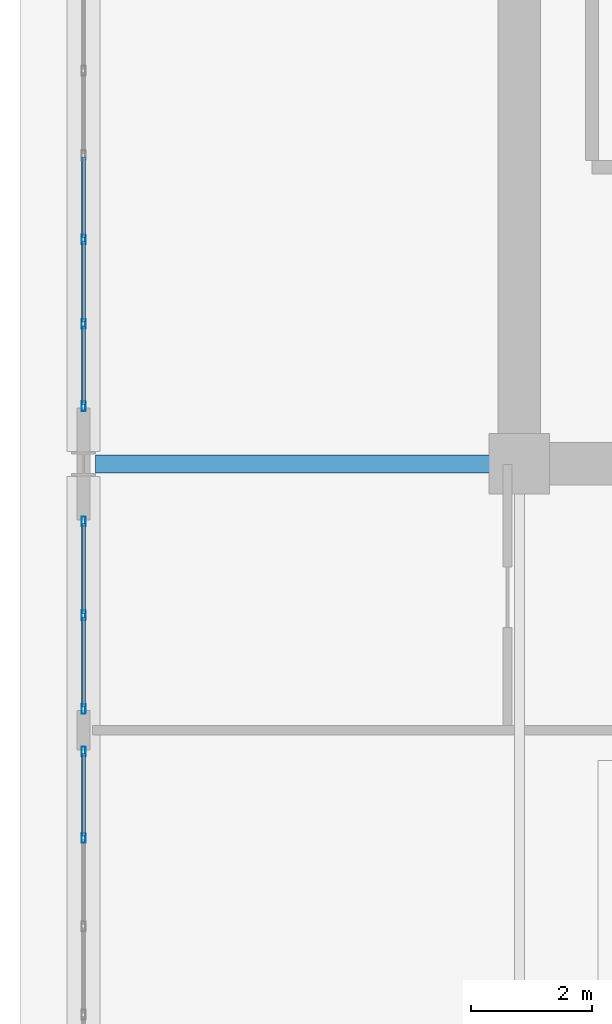
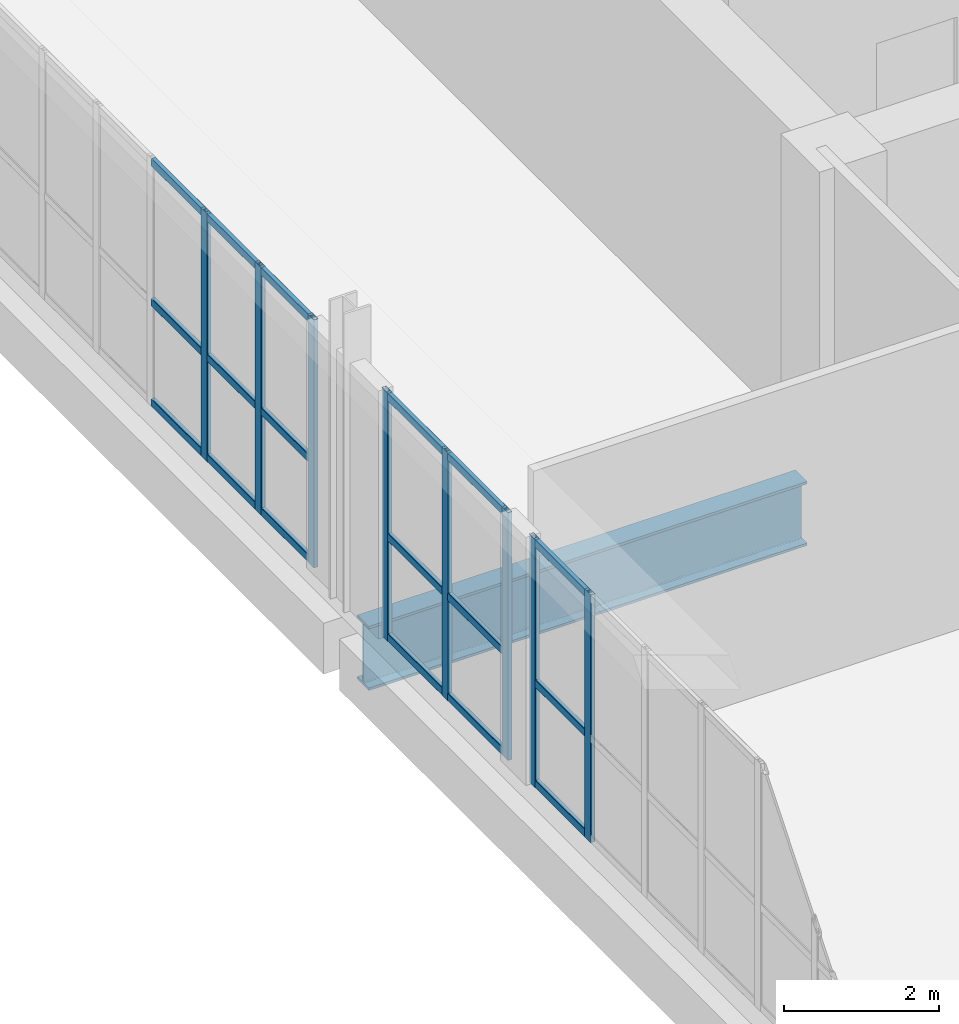
# One storey, part 11 of 36: 26 members, 1 beam, 3 elements without a shape of their own.
"""IFC4 building model written with IfcOpenShell, lengths in metres."""

from ifc_helpers import new_model, si_unit, direction, frame, origin, origin_2d, place, context, subcontext, project, spatial, hollow_rectangle, i_section, extrude, material, layer, layer_set, material_profile, profile_set, type_object, element, aggregate, save


model = new_model("IFC4")

# Units and contexts
model_context = context("Model", 3, precision=1e-05, world=origin(), true_north=direction((0.0, 1.0)))
body_context = subcontext(model_context, "Body", "Model", "MODEL_VIEW")
ifc_project = project(units=[si_unit("LENGTHUNIT", "METRE"), si_unit("AREAUNIT", "SQUARE_METRE"), si_unit("VOLUMEUNIT", "CUBIC_METRE"), si_unit("PLANEANGLEUNIT", "RADIAN"), si_unit("MASSUNIT", "GRAM", prefix="KILO")], contexts=[model_context])

# Site, building, storey
site_placement = place(None, origin())
site = spatial("IfcSite", under=ifc_project, at=site_placement, CompositionType="ELEMENT")
building_placement = place(site_placement, origin())
building = spatial("IfcBuilding", under=site, at=building_placement, Name="Kaelvorn Grand Hotel", CompositionType="ELEMENT")
storey_placement = place(building_placement, frame((0.0, 0.0, 305.699951171875)))
storey = spatial("IfcBuildingStorey", under=building, at=storey_placement, Name="L74", CompositionType="ELEMENT", Elevation=305.699951171875)

# Beam
ifc_material_1 = material(Name="Steel S460", Category="steel")
ifc_material_profile_1 = material_profile(ifc_material_1, i_section(OverallWidth=0.302001953125, OverallDepth=1.008056640625, WebThickness=0.02099609375, FlangeThickness=0.0400390625, FilletRadius=0.024169921875, at=origin_2d()), Name="UB 1016x305x349")
ifc_profile_set_1 = profile_set([ifc_material_profile_1], Name="Steel S460")
beam_type = type_object("IfcBeamType", Name="BM-G-UB1016-S460", PredefinedType="BEAM", material=ifc_profile_set_1)
beam_placement = place(storey_placement, frame((9.195068359375, 29.39990234375, -0.884033203125), z_axis=(1.0, 0.0, 0.0), x_axis=(0.0, 1.0, 0.0)))
element("IfcBeam", 1, at=beam_placement, inside=storey, type_object=beam_type, Name="L74 West Core Wing Steel Girder G-29W 01", PredefinedType="BEAM", context=body_context, shape_type="SweptSolid", body=[
    extrude(i_section(OverallWidth=0.302001953125, OverallDepth=1.008056640625, WebThickness=0.02099609375, FlangeThickness=0.0400390625, FilletRadius=0.024169921875, at=origin_2d()), origin(), (0.0, 0.0, 1.0), 6.52001953125),
])

# Curtain wall, members
ifc_material_2 = material(Name="Anodised Aluminium", Category="aluminium")
ifc_layer = layer(ifc_material_2, 0.159912109375)
ifc_layer_set = layer_set([ifc_layer], Name="Anodised Aluminium")
curtain_wall_type = type_object("IfcCurtainWallType", Name="CW-SYS6", PredefinedType="NOTDEFINED", material=ifc_layer_set)
curtain_wall_1_placement = place(storey_placement, origin())
curtain_wall_1 = element("IfcCurtainWall", 2, at=curtain_wall_1_placement, inside=storey, type_object=curtain_wall_type, Name="L74 Unitised Curtain Wall CW6 (CW-L74-W-04)", PredefinedType="NOTDEFINED")
ifc_material_profile_2 = material_profile(ifc_material_2, hollow_rectangle(XDim=0.06494140625, YDim=0.159912109375, WallThickness=0.00341796875, InnerFilletRadius=0.00341796875, OuterFilletRadius=0.007080078125, at=origin_2d()), Name="ALU MULL 65x160")
ifc_profile_set_2 = profile_set([ifc_material_profile_2], Name="Anodised Aluminium")
member_type_1 = type_object("IfcMemberType", Name="CW-SYS6-MULL", PredefinedType="MULLION", material=ifc_profile_set_2)
member_1_placement = place(storey_placement, frame((9.0, 33.106689453125, 0.0), z_axis=(0.0, 0.0, 1.0), x_axis=(1.0, 0.0, 0.0)))
member_1 = element("IfcMember", 3, at=member_1_placement, type_object=member_type_1, Name="CW6 mullion 5", PredefinedType="MULLION", context=body_context, shape_type="SweptSolid", body=[
    extrude(hollow_rectangle(XDim=0.06494140625, YDim=0.159912109375, WallThickness=0.00341796875, InnerFilletRadius=0.00341796875, OuterFilletRadius=0.007080078125, at=origin_2d()), origin(), (0.0, 0.0, 1.0), 3.900146484375),
])
member_2_placement = place(storey_placement, frame((9.0, 31.71337890625, 0.0), z_axis=(0.0, 0.0, 1.0), x_axis=(1.0, 0.0, 0.0)))
member_2 = element("IfcMember", 4, at=member_2_placement, type_object=member_type_1, Name="CW6 mullion 6", PredefinedType="MULLION", context=body_context, shape_type="SweptSolid", body=[
    extrude(hollow_rectangle(XDim=0.06494140625, YDim=0.159912109375, WallThickness=0.00341796875, InnerFilletRadius=0.00341796875, OuterFilletRadius=0.007080078125, at=origin_2d()), origin(), (0.0, 0.0, 1.0), 3.900146484375),
])
member_3_placement = place(storey_placement, frame((9.0, 30.3525390625, 0.0), z_axis=(0.0, 0.0, 1.0), x_axis=(1.0, 0.0, 0.0)))
member_3 = element("IfcMember", 5, at=member_3_placement, type_object=member_type_1, Name="CW6 mullion 7", PredefinedType="MULLION", context=body_context, shape_type="SweptSolid", body=[
    extrude(hollow_rectangle(XDim=0.06494140625, YDim=0.159912109375, WallThickness=0.00341796875, InnerFilletRadius=0.00341796875, OuterFilletRadius=0.007080078125, at=origin_2d()), origin(), (0.0, 0.0, 1.0), 3.900146484375),
])

curtain_wall_2_placement = place(storey_placement, origin())
curtain_wall_2 = element("IfcCurtainWall", 6, at=curtain_wall_2_placement, inside=storey, type_object=curtain_wall_type, Name="L74 Unitised Curtain Wall CW6 (CW-L74-W-03)", PredefinedType="NOTDEFINED")
member_4_placement = place(storey_placement, frame((9.0, 28.447509765625, 0.0), z_axis=(0.0, 0.0, 1.0), x_axis=(1.0, 0.0, 0.0)))
member_4 = element("IfcMember", 7, at=member_4_placement, type_object=member_type_1, Name="CW6 mullion 1", PredefinedType="MULLION", context=body_context, shape_type="SweptSolid", body=[
    extrude(hollow_rectangle(XDim=0.06494140625, YDim=0.159912109375, WallThickness=0.00341796875, InnerFilletRadius=0.00341796875, OuterFilletRadius=0.007080078125, at=origin_2d()), origin(), (0.0, 0.0, 1.0), 3.900146484375),
])
member_5_placement = place(storey_placement, frame((9.0, 26.89990234375, 0.0), z_axis=(0.0, 0.0, 1.0), x_axis=(1.0, 0.0, 0.0)))
member_5 = element("IfcMember", 8, at=member_5_placement, type_object=member_type_1, Name="CW6 mullion 2", PredefinedType="MULLION", context=body_context, shape_type="SweptSolid", body=[
    extrude(hollow_rectangle(XDim=0.06494140625, YDim=0.159912109375, WallThickness=0.00341796875, InnerFilletRadius=0.00341796875, OuterFilletRadius=0.007080078125, at=origin_2d()), origin(), (0.0, 0.0, 1.0), 3.900146484375),
])
member_6_placement = place(storey_placement, frame((9.0, 25.3525390625, 0.0), z_axis=(0.0, 0.0, 1.0), x_axis=(1.0, 0.0, 0.0)))
member_6 = element("IfcMember", 9, at=member_6_placement, type_object=member_type_1, Name="CW6 mullion 3", PredefinedType="MULLION", context=body_context, shape_type="SweptSolid", body=[
    extrude(hollow_rectangle(XDim=0.06494140625, YDim=0.159912109375, WallThickness=0.00341796875, InnerFilletRadius=0.00341796875, OuterFilletRadius=0.007080078125, at=origin_2d()), origin(), (0.0, 0.0, 1.0), 3.900146484375),
])

curtain_wall_3_placement = place(storey_placement, origin())
curtain_wall_3 = element("IfcCurtainWall", 10, at=curtain_wall_3_placement, inside=storey, type_object=curtain_wall_type, Name="L74 Unitised Curtain Wall CW6 (CW-L74-W-02)", PredefinedType="NOTDEFINED")
member_7_placement = place(storey_placement, frame((9.0, 24.6474609375, 0.0), z_axis=(0.0, 0.0, 1.0), x_axis=(1.0, 0.0, 0.0)))
member_7 = element("IfcMember", 11, at=member_7_placement, type_object=member_type_1, Name="CW6 mullion 1", PredefinedType="MULLION", context=body_context, shape_type="SweptSolid", body=[
    extrude(hollow_rectangle(XDim=0.06494140625, YDim=0.159912109375, WallThickness=0.00341796875, InnerFilletRadius=0.00341796875, OuterFilletRadius=0.007080078125, at=origin_2d()), origin(), (0.0, 0.0, 1.0), 3.900146484375),
])
member_8_placement = place(storey_placement, frame((9.0, 23.219970703125, 0.0), z_axis=(0.0, 0.0, 1.0), x_axis=(1.0, 0.0, 0.0)))
member_8 = element("IfcMember", 12, at=member_8_placement, type_object=member_type_1, Name="CW6 mullion 2", PredefinedType="MULLION", context=body_context, shape_type="SweptSolid", body=[
    extrude(hollow_rectangle(XDim=0.06494140625, YDim=0.159912109375, WallThickness=0.00341796875, InnerFilletRadius=0.00341796875, OuterFilletRadius=0.007080078125, at=origin_2d()), origin(), (0.0, 0.0, 1.0), 3.900146484375),
])

# Member
ifc_material_profile_3 = material_profile(ifc_material_2, hollow_rectangle(XDim=0.06494140625, YDim=0.1201171875, WallThickness=0.00341796875, InnerFilletRadius=0.00341796875, OuterFilletRadius=0.007080078125, at=origin_2d()), Name="ALU TRAN 65x120")
ifc_profile_set_3 = profile_set([ifc_material_profile_3], Name="Anodised Aluminium")
member_type_2 = type_object("IfcMemberType", Name="CW-SYS6-TRAN", PredefinedType="NOTDEFINED", material=ifc_profile_set_3)
member_9_placement = place(storey_placement, frame((9.0, 34.467529296875, 0.06005859375), z_axis=(0.0, -1.0, 0.0), x_axis=(1.0, 0.0, 0.0)))
member_9 = element("IfcMember", 13, at=member_9_placement, type_object=member_type_2, Name="CW6 transom 4.1", ObjectType="TRANSOM", PredefinedType="USERDEFINED", context=body_context, shape_type="SweptSolid", body=[
    extrude(hollow_rectangle(XDim=0.06494140625, YDim=0.1201171875, WallThickness=0.00341796875, InnerFilletRadius=0.00341796875, OuterFilletRadius=0.007080078125, at=origin_2d()), origin(), (0.0, 0.0, 1.0), 1.328369140625),
])

member_10_placement = place(storey_placement, frame((9.0, 34.467529296875, 1.637939453125), z_axis=(0.0, -1.0, 0.0), x_axis=(1.0, 0.0, 0.0)))
member_10 = element("IfcMember", 14, at=member_10_placement, type_object=member_type_2, Name="CW6 transom 4.2", ObjectType="TRANSOM", PredefinedType="USERDEFINED", context=body_context, shape_type="SweptSolid", body=[
    extrude(hollow_rectangle(XDim=0.06494140625, YDim=0.1201171875, WallThickness=0.00341796875, InnerFilletRadius=0.00341796875, OuterFilletRadius=0.007080078125, at=origin_2d()), origin(), (0.0, 0.0, 1.0), 1.328369140625),
])

member_11_placement = place(storey_placement, frame((9.0, 34.467529296875, 3.840087890625), z_axis=(0.0, -1.0, 0.0), x_axis=(1.0, 0.0, 0.0)))
member_11 = element("IfcMember", 15, at=member_11_placement, type_object=member_type_2, Name="CW6 transom 4.3", ObjectType="TRANSOM", PredefinedType="USERDEFINED", context=body_context, shape_type="SweptSolid", body=[
    extrude(hollow_rectangle(XDim=0.06494140625, YDim=0.1201171875, WallThickness=0.00341796875, InnerFilletRadius=0.00341796875, OuterFilletRadius=0.007080078125, at=origin_2d()), origin(), (0.0, 0.0, 1.0), 1.328369140625),
])

member_12_placement = place(storey_placement, frame((9.0, 33.07421875, 0.06005859375), z_axis=(0.0, -1.0, 0.0), x_axis=(1.0, 0.0, 0.0)))
member_12 = element("IfcMember", 16, at=member_12_placement, type_object=member_type_2, Name="CW6 transom 5.1", ObjectType="TRANSOM", PredefinedType="USERDEFINED", context=body_context, shape_type="SweptSolid", body=[
    extrude(hollow_rectangle(XDim=0.06494140625, YDim=0.1201171875, WallThickness=0.00341796875, InnerFilletRadius=0.00341796875, OuterFilletRadius=0.007080078125, at=origin_2d()), origin(), (0.0, 0.0, 1.0), 1.328369140625),
])

member_13_placement = place(storey_placement, frame((9.0, 33.07421875, 1.637939453125), z_axis=(0.0, -1.0, 0.0), x_axis=(1.0, 0.0, 0.0)))
member_13 = element("IfcMember", 17, at=member_13_placement, type_object=member_type_2, Name="CW6 transom 5.2", ObjectType="TRANSOM", PredefinedType="USERDEFINED", context=body_context, shape_type="SweptSolid", body=[
    extrude(hollow_rectangle(XDim=0.06494140625, YDim=0.1201171875, WallThickness=0.00341796875, InnerFilletRadius=0.00341796875, OuterFilletRadius=0.007080078125, at=origin_2d()), origin(), (0.0, 0.0, 1.0), 1.328369140625),
])

member_14_placement = place(storey_placement, frame((9.0, 33.07421875, 3.840087890625), z_axis=(0.0, -1.0, 0.0), x_axis=(1.0, 0.0, 0.0)))
member_14 = element("IfcMember", 18, at=member_14_placement, type_object=member_type_2, Name="CW6 transom 5.3", ObjectType="TRANSOM", PredefinedType="USERDEFINED", context=body_context, shape_type="SweptSolid", body=[
    extrude(hollow_rectangle(XDim=0.06494140625, YDim=0.1201171875, WallThickness=0.00341796875, InnerFilletRadius=0.00341796875, OuterFilletRadius=0.007080078125, at=origin_2d()), origin(), (0.0, 0.0, 1.0), 1.328369140625),
])

member_15_placement = place(storey_placement, frame((9.0, 31.680908203125, 0.06005859375), z_axis=(0.0, -1.0, 0.0), x_axis=(1.0, 0.0, 0.0)))
member_15 = element("IfcMember", 19, at=member_15_placement, type_object=member_type_2, Name="CW6 transom 6.1", ObjectType="TRANSOM", PredefinedType="USERDEFINED", context=body_context, shape_type="SweptSolid", body=[
    extrude(hollow_rectangle(XDim=0.06494140625, YDim=0.1201171875, WallThickness=0.00341796875, InnerFilletRadius=0.00341796875, OuterFilletRadius=0.007080078125, at=origin_2d()), origin(), (0.0, 0.0, 1.0), 1.2958984375),
])

member_16_placement = place(storey_placement, frame((9.0, 31.680908203125, 1.637939453125), z_axis=(0.0, -1.0, 0.0), x_axis=(1.0, 0.0, 0.0)))
member_16 = element("IfcMember", 20, at=member_16_placement, type_object=member_type_2, Name="CW6 transom 6.2", ObjectType="TRANSOM", PredefinedType="USERDEFINED", context=body_context, shape_type="SweptSolid", body=[
    extrude(hollow_rectangle(XDim=0.06494140625, YDim=0.1201171875, WallThickness=0.00341796875, InnerFilletRadius=0.00341796875, OuterFilletRadius=0.007080078125, at=origin_2d()), origin(), (0.0, 0.0, 1.0), 1.2958984375),
])

member_17_placement = place(storey_placement, frame((9.0, 31.680908203125, 3.840087890625), z_axis=(0.0, -1.0, 0.0), x_axis=(1.0, 0.0, 0.0)))
member_17 = element("IfcMember", 21, at=member_17_placement, type_object=member_type_2, Name="CW6 transom 6.3", ObjectType="TRANSOM", PredefinedType="USERDEFINED", context=body_context, shape_type="SweptSolid", body=[
    extrude(hollow_rectangle(XDim=0.06494140625, YDim=0.1201171875, WallThickness=0.00341796875, InnerFilletRadius=0.00341796875, OuterFilletRadius=0.007080078125, at=origin_2d()), origin(), (0.0, 0.0, 1.0), 1.2958984375),
])

aggregate(curtain_wall_1, [member_1, member_2, member_3, member_9, member_10, member_11, member_12, member_13, member_14, member_15, member_16, member_17])

member_18_placement = place(storey_placement, frame((9.0, 28.4150390625, 0.06005859375), z_axis=(0.0, -1.0, 0.0), x_axis=(1.0, 0.0, 0.0)))
member_18 = element("IfcMember", 22, at=member_18_placement, type_object=member_type_2, Name="CW6 transom 1.1", ObjectType="TRANSOM", PredefinedType="USERDEFINED", context=body_context, shape_type="SweptSolid", body=[
    extrude(hollow_rectangle(XDim=0.06494140625, YDim=0.1201171875, WallThickness=0.00341796875, InnerFilletRadius=0.00341796875, OuterFilletRadius=0.007080078125, at=origin_2d()), origin(), (0.0, 0.0, 1.0), 1.482421875),
])

member_19_placement = place(storey_placement, frame((9.0, 28.4150390625, 1.637939453125), z_axis=(0.0, -1.0, 0.0), x_axis=(1.0, 0.0, 0.0)))
member_19 = element("IfcMember", 23, at=member_19_placement, type_object=member_type_2, Name="CW6 transom 1.2", ObjectType="TRANSOM", PredefinedType="USERDEFINED", context=body_context, shape_type="SweptSolid", body=[
    extrude(hollow_rectangle(XDim=0.06494140625, YDim=0.1201171875, WallThickness=0.00341796875, InnerFilletRadius=0.00341796875, OuterFilletRadius=0.007080078125, at=origin_2d()), origin(), (0.0, 0.0, 1.0), 1.482421875),
])

member_20_placement = place(storey_placement, frame((9.0, 28.4150390625, 3.840087890625), z_axis=(0.0, -1.0, 0.0), x_axis=(1.0, 0.0, 0.0)))
member_20 = element("IfcMember", 24, at=member_20_placement, type_object=member_type_2, Name="CW6 transom 1.3", ObjectType="TRANSOM", PredefinedType="USERDEFINED", context=body_context, shape_type="SweptSolid", body=[
    extrude(hollow_rectangle(XDim=0.06494140625, YDim=0.1201171875, WallThickness=0.00341796875, InnerFilletRadius=0.00341796875, OuterFilletRadius=0.007080078125, at=origin_2d()), origin(), (0.0, 0.0, 1.0), 1.482421875),
])

member_21_placement = place(storey_placement, frame((9.0, 26.867431640625, 0.06005859375), z_axis=(0.0, -1.0, 0.0), x_axis=(1.0, 0.0, 0.0)))
member_21 = element("IfcMember", 25, at=member_21_placement, type_object=member_type_2, Name="CW6 transom 2.1", ObjectType="TRANSOM", PredefinedType="USERDEFINED", context=body_context, shape_type="SweptSolid", body=[
    extrude(hollow_rectangle(XDim=0.06494140625, YDim=0.1201171875, WallThickness=0.00341796875, InnerFilletRadius=0.00341796875, OuterFilletRadius=0.007080078125, at=origin_2d()), origin(), (0.0, 0.0, 1.0), 1.482421875),
])

member_22_placement = place(storey_placement, frame((9.0, 26.867431640625, 1.637939453125), z_axis=(0.0, -1.0, 0.0), x_axis=(1.0, 0.0, 0.0)))
member_22 = element("IfcMember", 26, at=member_22_placement, type_object=member_type_2, Name="CW6 transom 2.2", ObjectType="TRANSOM", PredefinedType="USERDEFINED", context=body_context, shape_type="SweptSolid", body=[
    extrude(hollow_rectangle(XDim=0.06494140625, YDim=0.1201171875, WallThickness=0.00341796875, InnerFilletRadius=0.00341796875, OuterFilletRadius=0.007080078125, at=origin_2d()), origin(), (0.0, 0.0, 1.0), 1.482421875),
])

member_23_placement = place(storey_placement, frame((9.0, 26.867431640625, 3.840087890625), z_axis=(0.0, -1.0, 0.0), x_axis=(1.0, 0.0, 0.0)))
member_23 = element("IfcMember", 27, at=member_23_placement, type_object=member_type_2, Name="CW6 transom 2.3", ObjectType="TRANSOM", PredefinedType="USERDEFINED", context=body_context, shape_type="SweptSolid", body=[
    extrude(hollow_rectangle(XDim=0.06494140625, YDim=0.1201171875, WallThickness=0.00341796875, InnerFilletRadius=0.00341796875, OuterFilletRadius=0.007080078125, at=origin_2d()), origin(), (0.0, 0.0, 1.0), 1.482421875),
])

aggregate(curtain_wall_2, [member_4, member_5, member_6, member_18, member_19, member_20, member_21, member_22, member_23])

member_24_placement = place(storey_placement, frame((9.0, 24.614990234375, 0.06005859375), z_axis=(0.0, -1.0, 0.0), x_axis=(1.0, 0.0, 0.0)))
member_24 = element("IfcMember", 28, at=member_24_placement, type_object=member_type_2, Name="CW6 transom 1.1", ObjectType="TRANSOM", PredefinedType="USERDEFINED", context=body_context, shape_type="SweptSolid", body=[
    extrude(hollow_rectangle(XDim=0.06494140625, YDim=0.1201171875, WallThickness=0.00341796875, InnerFilletRadius=0.00341796875, OuterFilletRadius=0.007080078125, at=origin_2d()), origin(), (0.0, 0.0, 1.0), 1.362548828125),
])

member_25_placement = place(storey_placement, frame((9.0, 24.614990234375, 1.637939453125), z_axis=(0.0, -1.0, 0.0), x_axis=(1.0, 0.0, 0.0)))
member_25 = element("IfcMember", 29, at=member_25_placement, type_object=member_type_2, Name="CW6 transom 1.2", ObjectType="TRANSOM", PredefinedType="USERDEFINED", context=body_context, shape_type="SweptSolid", body=[
    extrude(hollow_rectangle(XDim=0.06494140625, YDim=0.1201171875, WallThickness=0.00341796875, InnerFilletRadius=0.00341796875, OuterFilletRadius=0.007080078125, at=origin_2d()), origin(), (0.0, 0.0, 1.0), 1.362548828125),
])

member_26_placement = place(storey_placement, frame((9.0, 24.614990234375, 3.840087890625), z_axis=(0.0, -1.0, 0.0), x_axis=(1.0, 0.0, 0.0)))
member_26 = element("IfcMember", 30, at=member_26_placement, type_object=member_type_2, Name="CW6 transom 1.3", ObjectType="TRANSOM", PredefinedType="USERDEFINED", context=body_context, shape_type="SweptSolid", body=[
    extrude(hollow_rectangle(XDim=0.06494140625, YDim=0.1201171875, WallThickness=0.00341796875, InnerFilletRadius=0.00341796875, OuterFilletRadius=0.007080078125, at=origin_2d()), origin(), (0.0, 0.0, 1.0), 1.362548828125),
])

aggregate(curtain_wall_3, [member_7, member_8, member_24, member_25, member_26])

save(model, "model.ifc")
